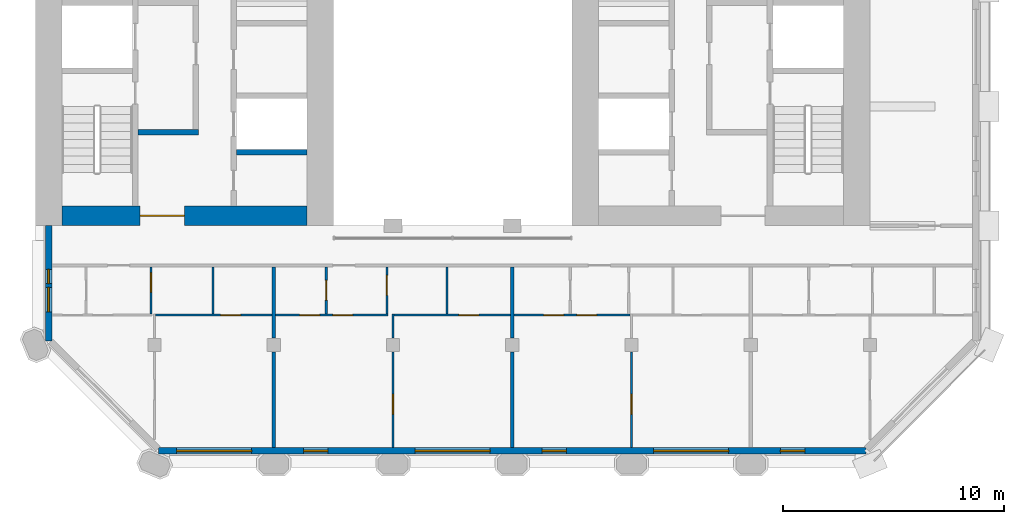
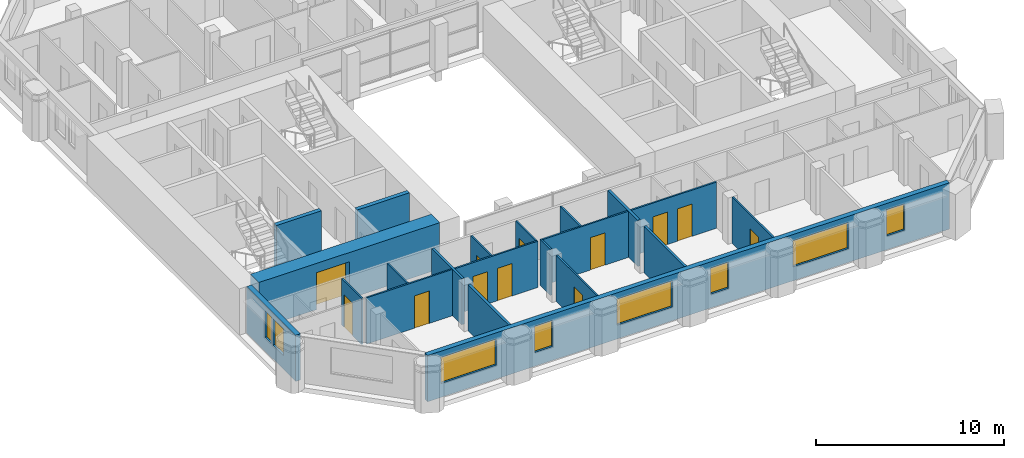
# One storey, part 4 of 13: 21 walls, 12 doors, 8 windows, 20 openings.
"""IFC4 building model written with IfcOpenShell, lengths in metres."""

from ifc_helpers import new_model, si_unit, direction, frame, frame_2d, origin, place, context, subcontext, project, spatial, rectangle, extrude, material, layer, layer_set, type_object, element, fill, save


model = new_model("IFC4")

# Units and contexts
model_context = context("Model", 3, precision=1e-05, world=origin(), true_north=direction((0.0, 1.0)))
body_context = subcontext(model_context, "Body", "Model", "MODEL_VIEW")
ifc_project = project(units=[si_unit("LENGTHUNIT", "METRE"), si_unit("AREAUNIT", "SQUARE_METRE"), si_unit("VOLUMEUNIT", "CUBIC_METRE"), si_unit("PLANEANGLEUNIT", "RADIAN"), si_unit("MASSUNIT", "GRAM", prefix="KILO")], contexts=[model_context])

# Site, building, storey
site_placement = place(None, origin())
site = spatial("IfcSite", under=ifc_project, at=site_placement, CompositionType="ELEMENT")
building_placement = place(site_placement, origin())
building = spatial("IfcBuilding", under=site, at=building_placement, Name="Tabaq Tower and Sports Hall", CompositionType="ELEMENT")
storey_placement = place(building_placement, frame((0.0, 0.0, 301.60009765625)))
storey = spatial("IfcBuildingStorey", under=building, at=storey_placement, Name="L75", CompositionType="ELEMENT", Elevation=301.60009765625)

# Wall, opening, door
ifc_material_1 = material(Name="Concrete C40/50", Category="concrete")
ifc_layer_1 = layer(ifc_material_1, 0.89990234375)
ifc_layer_set_1 = layer_set([ifc_layer_1], Name="Core wall 900 Concrete C40/50")
wall_type_1 = type_object("IfcWallType", Name="Core wall 900 Concrete C40/50", PredefinedType="SOLIDWALL", material=ifc_layer_set_1)
wall_1_placement = place(storey_placement, frame((17.699951171875, 16.64990234375, 0.0), z_axis=(0.0, 0.0, 1.0), x_axis=(-1.0, 0.0, 0.0)))
wall_1 = element("IfcWall", 1, at=wall_1_placement, inside=storey, type_object=wall_type_1, Name="Core wall W L75", PredefinedType="SOLIDWALL", context=body_context, shape_type="SweptSolid", body=[
    extrude(rectangle(XDim=11.099853515625, YDim=0.89990234375, at=frame_2d((5.5498046875, 0.0))), origin(), (0.0, 0.0, 1.0), 3.0),
])
opening_1_placement = place(wall_1_placement, frame((5.550048828125, 0.0, 0.0)))
opening_1 = element("IfcOpeningElement", 2, at=opening_1_placement, cuts=wall_1, Name="Opening PD-WL75-01", PredefinedType="OPENING", context=body_context, shape_type="SweptSolid", body=[
    extrude(rectangle(XDim=2.0, YDim=2.39990234375, at=frame_2d((1.0, 1.199951171875))), frame((0.0, 0.449951171875, 0.0), z_axis=(0.0, -1.0, 0.0), x_axis=(1.0, 0.0, 0.0)), (0.0, 0.0, 1.0), 0.89990234375),
])
ifc_material_2 = material(Name="Steel fire door", Category="steel")
door_type_1 = type_object("IfcDoorType", Name="Core entrance door 2000", OperationType="DOUBLE_DOOR_SINGLE_SWING", PredefinedType="DOOR", material=ifc_material_2)
door_1_placement = place(opening_1_placement, origin())
door_1 = element("IfcDoor", 3, at=door_1_placement, inside=storey, type_object=door_type_1, Name="Core entrance south W L75", OperationType="DOUBLE_DOOR_SINGLE_SWING", OverallHeight=2.39990234375, OverallWidth=2.0, PredefinedType="DOOR", context=body_context, shape_type="SweptSolid", body=[
    extrude(rectangle(XDim=2.0, YDim=2.39990234375, at=frame_2d((1.0, 1.199951171875))), frame((0.0, 0.02490234375, 0.0), z_axis=(0.0, -1.0, 0.0), x_axis=(1.0, 0.0, 0.0)), (0.0, 0.0, 1.0), 0.050048828125),
])
fill(opening_1, door_1)

ifc_material_3 = material(Name="Gypsum board on steel studs", Category="steel")
ifc_layer_2 = layer(ifc_material_3, 0.10009765625)
ifc_layer_set_2 = layer_set([ifc_layer_2], Name="Partition 100 Gypsum board")
wall_type_2 = type_object("IfcWallType", Name="Partition 100 Gypsum board", PredefinedType="PARTITIONING", material=ifc_layer_set_2)
wall_2_placement = place(storey_placement, frame((16.125, 12.14990234375, 0.0), z_axis=(0.0, 0.0, 1.0), x_axis=(-1.0, 0.0, 0.0)))
wall_2 = element("IfcWall", 4, at=wall_2_placement, inside=storey, type_object=wall_type_2, Name="Partition wall L75", PredefinedType="PARTITIONING", context=body_context, shape_type="SweptSolid", body=[
    extrude(rectangle(XDim=5.27490234375, YDim=0.10009765625, at=frame_2d((2.637451171875, 0.0))), origin(), (0.0, 0.0, 1.0), 3.0),
])
opening_2_placement = place(wall_2_placement, frame((1.429931640625, 0.0, 0.0)))
opening_2 = element("IfcOpeningElement", 5, at=opening_2_placement, cuts=wall_2, Name="Opening L75-019", PredefinedType="OPENING", context=body_context, shape_type="SweptSolid", body=[
    extrude(rectangle(XDim=0.89990234375, YDim=2.10009765625, at=frame_2d((0.449951171875, 1.050048828125))), frame((0.0, 0.050048828125, 0.0), z_axis=(0.0, -1.0, 0.0), x_axis=(1.0, 0.0, 0.0)), (0.0, 0.0, 1.0), 0.10009765625),
])
ifc_material_4 = material(Name="Timber leaf in steel frame", Category="steel")
door_type_2 = type_object("IfcDoorType", Name="Internal door 900 right hand", OperationType="SINGLE_SWING_RIGHT", PredefinedType="DOOR", material=ifc_material_4)
door_2_placement = place(opening_2_placement, origin())
door_2 = element("IfcDoor", 6, at=door_2_placement, inside=storey, type_object=door_type_2, Name="Internal door L75-019", OperationType="SINGLE_SWING_RIGHT", OverallHeight=2.10009765625, OverallWidth=0.89990234375, PredefinedType="DOOR", context=body_context, shape_type="SweptSolid", body=[
    extrude(rectangle(XDim=0.89990234375, YDim=2.10009765625, at=frame_2d((0.449951171875, 1.050048828125))), frame((0.0, 0.02490234375, 0.0), z_axis=(0.0, -1.0, 0.0), x_axis=(1.0, 0.0, 0.0)), (0.0, 0.0, 1.0), 0.050048828125),
])
fill(opening_2, door_2)

wall_3_placement = place(storey_placement, frame((10.639892578125, 12.199951171875, 0.0), z_axis=(0.0, 0.0, 1.0), x_axis=(0.0, 1.0, 0.0)))
wall_3 = element("IfcWall", 7, at=wall_3_placement, inside=storey, type_object=wall_type_2, Name="Partition wall L75", PredefinedType="PARTITIONING", context=body_context, shape_type="SweptSolid", body=[
    extrude(rectangle(XDim=2.125, YDim=0.10009765625, at=frame_2d((1.0625, 0.0))), origin(), (0.0, 0.0, 1.0), 3.0),
])
opening_3_placement = place(wall_3_placement, frame((0.97509765625, 0.0, 0.0)))
opening_3 = element("IfcOpeningElement", 8, at=opening_3_placement, cuts=wall_3, Name="Opening L75-020", PredefinedType="OPENING", context=body_context, shape_type="SweptSolid", body=[
    extrude(rectangle(XDim=0.89990234375, YDim=2.10009765625, at=frame_2d((0.449951171875, 1.050048828125))), frame((0.0, 0.050048828125, 0.0), z_axis=(0.0, -1.0, 0.0), x_axis=(1.0, 0.0, 0.0)), (0.0, 0.0, 1.0), 0.10009765625),
])
door_3_placement = place(opening_3_placement, origin())
door_3 = element("IfcDoor", 9, at=door_3_placement, inside=storey, type_object=door_type_2, Name="Internal door L75-020", OperationType="SINGLE_SWING_RIGHT", OverallHeight=2.10009765625, OverallWidth=0.89990234375, PredefinedType="DOOR", context=body_context, shape_type="SweptSolid", body=[
    extrude(rectangle(XDim=0.89990234375, YDim=2.10009765625, at=frame_2d((0.449951171875, 1.050048828125))), frame((0.0, 0.02490234375, 0.0), z_axis=(0.0, -1.0, 0.0), x_axis=(1.0, 0.0, 0.0)), (0.0, 0.0, 1.0), 0.050048828125),
])
fill(opening_3, door_3)

# Wall
wall_4_placement = place(storey_placement, frame((13.43994140625, 12.199951171875, 0.0), z_axis=(0.0, 0.0, 1.0), x_axis=(0.0, 1.0, 0.0)))
element("IfcWall", 10, at=wall_4_placement, inside=storey, type_object=wall_type_2, Name="Partition wall L75", PredefinedType="PARTITIONING", context=body_context, shape_type="SweptSolid", body=[
    extrude(rectangle(XDim=2.125, YDim=0.10009765625, at=frame_2d((1.0625, 0.0))), origin(), (0.0, 0.0, 1.0), 3.0),
])

# Wall, opening, door
wall_5_placement = place(storey_placement, frame((21.60009765625, 6.15087890625, 0.0), z_axis=(0.0, 0.0, 1.0), x_axis=(0.0, 1.0, 0.0)))
wall_5 = element("IfcWall", 11, at=wall_5_placement, inside=storey, type_object=wall_type_2, Name="Partition wall L75", PredefinedType="PARTITIONING", context=body_context, shape_type="SweptSolid", body=[
    extrude(rectangle(XDim=4.3291015625, YDim=0.10009765625, at=frame_2d((2.16455078125, 0.0))), origin(), (0.0, 0.0, 1.0), 3.0),
])
opening_4_placement = place(wall_5_placement, frame((1.51806640625, 0.0, 0.0)))
opening_4 = element("IfcOpeningElement", 12, at=opening_4_placement, cuts=wall_5, Name="Opening L75-042", PredefinedType="OPENING", context=body_context, shape_type="SweptSolid", body=[
    extrude(rectangle(XDim=0.89990234375, YDim=2.10009765625, at=frame_2d((0.449951171875, 1.050048828125))), frame((0.0, 0.050048828125, 0.0), z_axis=(0.0, -1.0, 0.0), x_axis=(1.0, 0.0, 0.0)), (0.0, 0.0, 1.0), 0.10009765625),
])
ifc_material_5 = material(Name="Timber leaf in steel frame", Category="steel")
door_type_3 = type_object("IfcDoorType", Name="Internal door 900 left hand", OperationType="SINGLE_SWING_LEFT", PredefinedType="DOOR", material=ifc_material_5)
door_4_placement = place(opening_4_placement, origin())
door_4 = element("IfcDoor", 13, at=door_4_placement, inside=storey, type_object=door_type_3, Name="Internal door L75-042", OperationType="SINGLE_SWING_LEFT", OverallHeight=2.10009765625, OverallWidth=0.89990234375, PredefinedType="DOOR", context=body_context, shape_type="SweptSolid", body=[
    extrude(rectangle(XDim=0.89990234375, YDim=2.10009765625, at=frame_2d((0.449951171875, 1.050048828125))), frame((0.0, 0.02490234375, 0.0), z_axis=(0.0, -1.0, 0.0), x_axis=(1.0, 0.0, 0.0)), (0.0, 0.0, 1.0), 0.050048828125),
])
fill(opening_4, door_4)

# Wall
wall_6_placement = place(storey_placement, frame((21.60009765625, 11.1201171875, 0.0), z_axis=(0.0, 0.0, 1.0), x_axis=(0.0, 1.0, 0.0)))
element("IfcWall", 14, at=wall_6_placement, inside=storey, type_object=wall_type_2, Name="Partition wall L75", PredefinedType="PARTITIONING", context=body_context, shape_type="SweptSolid", body=[
    extrude(rectangle(XDim=1.079833984375, YDim=0.10009765625, at=frame_2d((0.5400390625, 0.0))), origin(), (0.0, 0.0, 1.0), 3.0),
])

# Wall, openings, doors
wall_7_placement = place(storey_placement, frame((21.3720703125, 12.14990234375, 0.0), z_axis=(0.0, 0.0, 1.0), x_axis=(-1.0, 0.0, 0.0)))
wall_7 = element("IfcWall", 15, at=wall_7_placement, inside=storey, type_object=wall_type_2, Name="Partition wall L75", PredefinedType="PARTITIONING", context=body_context, shape_type="SweptSolid", body=[
    extrude(rectangle(XDim=5.09716796875, YDim=0.10009765625, at=frame_2d((2.548583984375, 0.0))), origin(), (0.0, 0.0, 1.0), 3.0),
])
opening_5_placement = place(wall_7_placement, frame((3.10009765625, 0.0, 0.0)))
opening_5 = element("IfcOpeningElement", 16, at=opening_5_placement, cuts=wall_7, Name="Opening L75-043", PredefinedType="OPENING", context=body_context, shape_type="SweptSolid", body=[
    extrude(rectangle(XDim=0.89990234375, YDim=2.10009765625, at=frame_2d((0.449951171875, 1.050048828125))), frame((0.0, 0.050048828125, 0.0), z_axis=(0.0, -1.0, 0.0), x_axis=(1.0, 0.0, 0.0)), (0.0, 0.0, 1.0), 0.10009765625),
])
opening_6_placement = place(wall_7_placement, frame((1.60009765625, 0.0, 0.0)))
opening_6 = element("IfcOpeningElement", 17, at=opening_6_placement, cuts=wall_7, Name="Opening L75-056", PredefinedType="OPENING", context=body_context, shape_type="SweptSolid", body=[
    extrude(rectangle(XDim=0.89990234375, YDim=2.10009765625, at=frame_2d((0.449951171875, 1.050048828125))), frame((0.0, 0.050048828125, 0.0), z_axis=(0.0, -1.0, 0.0), x_axis=(1.0, 0.0, 0.0)), (0.0, 0.0, 1.0), 0.10009765625),
])
door_5_placement = place(opening_5_placement, origin())
door_5 = element("IfcDoor", 18, at=door_5_placement, inside=storey, type_object=door_type_3, Name="Internal door L75-043", OperationType="SINGLE_SWING_LEFT", OverallHeight=2.10009765625, OverallWidth=0.89990234375, PredefinedType="DOOR", context=body_context, shape_type="SweptSolid", body=[
    extrude(rectangle(XDim=0.89990234375, YDim=2.10009765625, at=frame_2d((0.449951171875, 1.050048828125))), frame((0.0, 0.02490234375, 0.0), z_axis=(0.0, -1.0, 0.0), x_axis=(1.0, 0.0, 0.0)), (0.0, 0.0, 1.0), 0.050048828125),
])
fill(opening_5, door_5)
door_6_placement = place(opening_6_placement, origin())
door_6 = element("IfcDoor", 19, at=door_6_placement, inside=storey, type_object=door_type_2, Name="Internal door L75-056", OperationType="SINGLE_SWING_RIGHT", OverallHeight=2.10009765625, OverallWidth=0.89990234375, PredefinedType="DOOR", context=body_context, shape_type="SweptSolid", body=[
    extrude(rectangle(XDim=0.89990234375, YDim=2.10009765625, at=frame_2d((0.449951171875, 1.050048828125))), frame((0.0, 0.02490234375, 0.0), z_axis=(0.0, -1.0, 0.0), x_axis=(1.0, 0.0, 0.0)), (0.0, 0.0, 1.0), 0.050048828125),
])
fill(opening_6, door_6)

# Wall, opening, door
wall_8_placement = place(storey_placement, frame((26.925048828125, 12.14990234375, 0.0), z_axis=(0.0, 0.0, 1.0), x_axis=(-1.0, 0.0, 0.0)))
wall_8 = element("IfcWall", 20, at=wall_8_placement, inside=storey, type_object=wall_type_2, Name="Partition wall L75", PredefinedType="PARTITIONING", context=body_context, shape_type="SweptSolid", body=[
    extrude(rectangle(XDim=5.275146484375, YDim=0.10009765625, at=frame_2d((2.6376953125, 0.0))), origin(), (0.0, 0.0, 1.0), 3.0),
])
opening_7_placement = place(wall_8_placement, frame((1.441650390625, 0.0, 0.0)))
opening_7 = element("IfcOpeningElement", 21, at=opening_7_placement, cuts=wall_8, Name="Opening L75-021", PredefinedType="OPENING", context=body_context, shape_type="SweptSolid", body=[
    extrude(rectangle(XDim=0.89990234375, YDim=2.10009765625, at=frame_2d((0.449951171875, 1.050048828125))), frame((0.0, 0.050048828125, 0.0), z_axis=(0.0, -1.0, 0.0), x_axis=(1.0, 0.0, 0.0)), (0.0, 0.0, 1.0), 0.10009765625),
])
door_7_placement = place(opening_7_placement, origin())
door_7 = element("IfcDoor", 22, at=door_7_placement, inside=storey, type_object=door_type_2, Name="Internal door L75-021", OperationType="SINGLE_SWING_RIGHT", OverallHeight=2.10009765625, OverallWidth=0.89990234375, PredefinedType="DOOR", context=body_context, shape_type="SweptSolid", body=[
    extrude(rectangle(XDim=0.89990234375, YDim=2.10009765625, at=frame_2d((0.449951171875, 1.050048828125))), frame((0.0, 0.02490234375, 0.0), z_axis=(0.0, -1.0, 0.0), x_axis=(1.0, 0.0, 0.0)), (0.0, 0.0, 1.0), 0.050048828125),
])
fill(opening_7, door_7)

wall_9_placement = place(storey_placement, frame((18.572021484375, 12.199951171875, 0.0), z_axis=(0.0, 0.0, 1.0), x_axis=(0.0, 1.0, 0.0)))
wall_9 = element("IfcWall", 23, at=wall_9_placement, inside=storey, type_object=wall_type_2, Name="Partition wall L75", PredefinedType="PARTITIONING", context=body_context, shape_type="SweptSolid", body=[
    extrude(rectangle(XDim=2.125, YDim=0.10009765625, at=frame_2d((1.0625, 0.0))), origin(), (0.0, 0.0, 1.0), 3.0),
])
opening_8_placement = place(wall_9_placement, frame((0.625, 0.0, 0.0)))
opening_8 = element("IfcOpeningElement", 24, at=opening_8_placement, cuts=wall_9, Name="Opening L75-044", PredefinedType="OPENING", context=body_context, shape_type="SweptSolid", body=[
    extrude(rectangle(XDim=0.89990234375, YDim=2.10009765625, at=frame_2d((0.449951171875, 1.050048828125))), frame((0.0, 0.050048828125, 0.0), z_axis=(0.0, -1.0, 0.0), x_axis=(1.0, 0.0, 0.0)), (0.0, 0.0, 1.0), 0.10009765625),
])
door_8_placement = place(opening_8_placement, origin())
door_8 = element("IfcDoor", 25, at=door_8_placement, inside=storey, type_object=door_type_3, Name="Internal door L75-044", OperationType="SINGLE_SWING_LEFT", OverallHeight=2.10009765625, OverallWidth=0.89990234375, PredefinedType="DOOR", context=body_context, shape_type="SweptSolid", body=[
    extrude(rectangle(XDim=0.89990234375, YDim=2.10009765625, at=frame_2d((0.449951171875, 1.050048828125))), frame((0.0, 0.02490234375, 0.0), z_axis=(0.0, -1.0, 0.0), x_axis=(1.0, 0.0, 0.0)), (0.0, 0.0, 1.0), 0.050048828125),
])
fill(opening_8, door_8)

wall_10_placement = place(storey_placement, frame((21.322021484375, 12.199951171875, 0.0), z_axis=(0.0, 0.0, 1.0), x_axis=(0.0, 1.0, 0.0)))
wall_10 = element("IfcWall", 26, at=wall_10_placement, inside=storey, type_object=wall_type_2, Name="Partition wall L75", PredefinedType="PARTITIONING", context=body_context, shape_type="SweptSolid", body=[
    extrude(rectangle(XDim=2.125, YDim=0.10009765625, at=frame_2d((1.0625, 0.0))), origin(), (0.0, 0.0, 1.0), 3.0),
])
opening_9_placement = place(wall_10_placement, frame((0.843994140625, 0.0, 0.0)))
opening_9 = element("IfcOpeningElement", 27, at=opening_9_placement, cuts=wall_10, Name="Opening L75-022", PredefinedType="OPENING", context=body_context, shape_type="SweptSolid", body=[
    extrude(rectangle(XDim=0.89990234375, YDim=2.10009765625, at=frame_2d((0.449951171875, 1.050048828125))), frame((0.0, 0.050048828125, 0.0), z_axis=(0.0, -1.0, 0.0), x_axis=(1.0, 0.0, 0.0)), (0.0, 0.0, 1.0), 0.10009765625),
])
door_9_placement = place(opening_9_placement, origin())
door_9 = element("IfcDoor", 28, at=door_9_placement, inside=storey, type_object=door_type_3, Name="Internal door L75-022", OperationType="SINGLE_SWING_LEFT", OverallHeight=2.10009765625, OverallWidth=0.89990234375, PredefinedType="DOOR", context=body_context, shape_type="SweptSolid", body=[
    extrude(rectangle(XDim=0.89990234375, YDim=2.10009765625, at=frame_2d((0.449951171875, 1.050048828125))), frame((0.0, 0.02490234375, 0.0), z_axis=(0.0, -1.0, 0.0), x_axis=(1.0, 0.0, 0.0)), (0.0, 0.0, 1.0), 0.050048828125),
])
fill(opening_9, door_9)

# Wall
wall_11_placement = place(storey_placement, frame((24.050048828125, 12.199951171875, 0.0), z_axis=(0.0, 0.0, 1.0), x_axis=(0.0, 1.0, 0.0)))
element("IfcWall", 29, at=wall_11_placement, inside=storey, type_object=wall_type_2, Name="Partition wall L75", PredefinedType="PARTITIONING", context=body_context, shape_type="SweptSolid", body=[
    extrude(rectangle(XDim=2.125, YDim=0.10009765625, at=frame_2d((1.0625, 0.0))), origin(), (0.0, 0.0, 1.0), 3.0),
])

# Wall, opening, door
wall_12_placement = place(storey_placement, frame((32.39990234375, 6.15087890625, 0.0), z_axis=(0.0, 0.0, 1.0), x_axis=(0.0, 1.0, 0.0)))
wall_12 = element("IfcWall", 30, at=wall_12_placement, inside=storey, type_object=wall_type_2, Name="Partition wall L75", PredefinedType="PARTITIONING", context=body_context, shape_type="SweptSolid", body=[
    extrude(rectangle(XDim=4.3291015625, YDim=0.10009765625, at=frame_2d((2.16455078125, 0.0))), origin(), (0.0, 0.0, 1.0), 3.0),
])
opening_10_placement = place(wall_12_placement, frame((1.51806640625, 0.0, 0.0)))
opening_10 = element("IfcOpeningElement", 31, at=opening_10_placement, cuts=wall_12, Name="Opening L75-045", PredefinedType="OPENING", context=body_context, shape_type="SweptSolid", body=[
    extrude(rectangle(XDim=0.89990234375, YDim=2.10009765625, at=frame_2d((0.449951171875, 1.050048828125))), frame((0.0, 0.050048828125, 0.0), z_axis=(0.0, -1.0, 0.0), x_axis=(1.0, 0.0, 0.0)), (0.0, 0.0, 1.0), 0.10009765625),
])
door_10_placement = place(opening_10_placement, origin())
door_10 = element("IfcDoor", 32, at=door_10_placement, inside=storey, type_object=door_type_2, Name="Internal door L75-045", OperationType="SINGLE_SWING_RIGHT", OverallHeight=2.10009765625, OverallWidth=0.89990234375, PredefinedType="DOOR", context=body_context, shape_type="SweptSolid", body=[
    extrude(rectangle(XDim=0.89990234375, YDim=2.10009765625, at=frame_2d((0.449951171875, 1.050048828125))), frame((0.0, 0.02490234375, 0.0), z_axis=(0.0, -1.0, 0.0), x_axis=(1.0, 0.0, 0.0)), (0.0, 0.0, 1.0), 0.050048828125),
])
fill(opening_10, door_10)

# Wall, openings, doors
wall_13_placement = place(storey_placement, frame((32.324951171875, 12.14990234375, 0.0), z_axis=(0.0, 0.0, 1.0), x_axis=(-1.0, 0.0, 0.0)))
wall_13 = element("IfcWall", 33, at=wall_13_placement, inside=storey, type_object=wall_type_2, Name="Partition wall L75", PredefinedType="PARTITIONING", context=body_context, shape_type="SweptSolid", body=[
    extrude(rectangle(XDim=5.25, YDim=0.10009765625, at=frame_2d((2.625, 0.0))), origin(), (0.0, 0.0, 1.0), 3.0),
])
opening_11_placement = place(wall_13_placement, frame((3.0, 0.0, 0.0)))
opening_11 = element("IfcOpeningElement", 34, at=opening_11_placement, cuts=wall_13, Name="Opening L75-046", PredefinedType="OPENING", context=body_context, shape_type="SweptSolid", body=[
    extrude(rectangle(XDim=0.89990234375, YDim=2.10009765625, at=frame_2d((0.449951171875, 1.050048828125))), frame((0.0, 0.050048828125, 0.0), z_axis=(0.0, -1.0, 0.0), x_axis=(1.0, 0.0, 0.0)), (0.0, 0.0, 1.0), 0.10009765625),
])
opening_12_placement = place(wall_13_placement, frame((1.5, 0.0, 0.0)))
opening_12 = element("IfcOpeningElement", 35, at=opening_12_placement, cuts=wall_13, Name="Opening L75-057", PredefinedType="OPENING", context=body_context, shape_type="SweptSolid", body=[
    extrude(rectangle(XDim=0.89990234375, YDim=2.10009765625, at=frame_2d((0.449951171875, 1.050048828125))), frame((0.0, 0.050048828125, 0.0), z_axis=(0.0, -1.0, 0.0), x_axis=(1.0, 0.0, 0.0)), (0.0, 0.0, 1.0), 0.10009765625),
])
door_11_placement = place(opening_11_placement, origin())
door_11 = element("IfcDoor", 36, at=door_11_placement, inside=storey, type_object=door_type_3, Name="Internal door L75-046", OperationType="SINGLE_SWING_LEFT", OverallHeight=2.10009765625, OverallWidth=0.89990234375, PredefinedType="DOOR", context=body_context, shape_type="SweptSolid", body=[
    extrude(rectangle(XDim=0.89990234375, YDim=2.10009765625, at=frame_2d((0.449951171875, 1.050048828125))), frame((0.0, 0.02490234375, 0.0), z_axis=(0.0, -1.0, 0.0), x_axis=(1.0, 0.0, 0.0)), (0.0, 0.0, 1.0), 0.050048828125),
])
fill(opening_11, door_11)
door_12_placement = place(opening_12_placement, origin())
door_12 = element("IfcDoor", 37, at=door_12_placement, inside=storey, type_object=door_type_2, Name="Internal door L75-057", OperationType="SINGLE_SWING_RIGHT", OverallHeight=2.10009765625, OverallWidth=0.89990234375, PredefinedType="DOOR", context=body_context, shape_type="SweptSolid", body=[
    extrude(rectangle(XDim=0.89990234375, YDim=2.10009765625, at=frame_2d((0.449951171875, 1.050048828125))), frame((0.0, 0.02490234375, 0.0), z_axis=(0.0, -1.0, 0.0), x_axis=(1.0, 0.0, 0.0)), (0.0, 0.0, 1.0), 0.050048828125),
])
fill(opening_12, door_12)

# Walls
ifc_material_6 = material(Name="Blockwork", Category="masonry")
ifc_layer_3 = layer(ifc_material_6, 0.14990234375)
ifc_layer_set_3 = layer_set([ifc_layer_3], Name="Separating wall 150 Blockwork")
wall_type_3 = type_object("IfcWallType", Name="Separating wall 150 Blockwork", PredefinedType="PARTITIONING", material=ifc_layer_set_3)
wall_14_placement = place(storey_placement, frame((16.199951171875, 6.15087890625, 0.0), z_axis=(0.0, 0.0, 1.0), x_axis=(0.0, 1.0, 0.0)))
element("IfcWall", 38, at=wall_14_placement, inside=storey, type_object=wall_type_3, Name="Separating wall L75", PredefinedType="PARTITIONING", context=body_context, shape_type="SweptSolid", body=[
    extrude(rectangle(XDim=4.3291015625, YDim=0.14990234375, at=frame_2d((2.16455078125, 0.0))), origin(), (0.0, 0.0, 1.0), 3.0),
])
wall_15_placement = place(storey_placement, frame((16.199951171875, 11.1201171875, 0.0), z_axis=(0.0, 0.0, 1.0), x_axis=(0.0, 1.0, 0.0)))
element("IfcWall", 39, at=wall_15_placement, inside=storey, type_object=wall_type_3, Name="Separating wall L75", PredefinedType="PARTITIONING", context=body_context, shape_type="SweptSolid", body=[
    extrude(rectangle(XDim=3.204833984375, YDim=0.14990234375, at=frame_2d((1.6025390625, 0.0))), origin(), (0.0, 0.0, 1.0), 3.0),
])
wall_16_placement = place(storey_placement, frame((27.0, 6.15087890625, 0.0), z_axis=(0.0, 0.0, 1.0), x_axis=(0.0, 1.0, 0.0)))
element("IfcWall", 40, at=wall_16_placement, inside=storey, type_object=wall_type_3, Name="Separating wall L75", PredefinedType="PARTITIONING", context=body_context, shape_type="SweptSolid", body=[
    extrude(rectangle(XDim=4.3291015625, YDim=0.14990234375, at=frame_2d((2.16455078125, 0.0))), origin(), (0.0, 0.0, 1.0), 3.0),
])
wall_17_placement = place(storey_placement, frame((27.0, 11.1201171875, 0.0), z_axis=(0.0, 0.0, 1.0), x_axis=(0.0, 1.0, 0.0)))
element("IfcWall", 41, at=wall_17_placement, inside=storey, type_object=wall_type_3, Name="Separating wall L75", PredefinedType="PARTITIONING", context=body_context, shape_type="SweptSolid", body=[
    extrude(rectangle(XDim=3.204833984375, YDim=0.14990234375, at=frame_2d((1.6025390625, 0.0))), origin(), (0.0, 0.0, 1.0), 3.0),
])
ifc_material_7 = material(Name="Concrete C40/50", Category="concrete")
ifc_layer_4 = layer(ifc_material_7, 0.25)
ifc_layer_set_4 = layer_set([ifc_layer_4], Name="Shaft and stair wall 250 Concrete C40/50")
wall_type_4 = type_object("IfcWallType", Name="Shaft and stair wall 250 Concrete C40/50", PredefinedType="SOLIDWALL", material=ifc_layer_set_4)
wall_18_placement = place(storey_placement, frame((10.050048828125, 20.425048828125, 0.0), z_axis=(0.0, 0.0, 1.0), x_axis=(1.0, 0.0, 0.0)))
element("IfcWall", 42, at=wall_18_placement, inside=storey, type_object=wall_type_4, Name="Fire-fighting lobby wall W L75", PredefinedType="SOLIDWALL", context=body_context, shape_type="SweptSolid", body=[
    extrude(rectangle(XDim=2.75, YDim=0.25, at=frame_2d((1.375, 0.0))), origin(), (0.0, 0.0, 1.0), 3.0),
])
wall_19_placement = place(storey_placement, frame((14.5, 19.52490234375, 0.0), z_axis=(0.0, 0.0, 1.0), x_axis=(1.0, 0.0, 0.0)))
element("IfcWall", 43, at=wall_19_placement, inside=storey, type_object=wall_type_4, Name="Shaft wall W L75", PredefinedType="SOLIDWALL", context=body_context, shape_type="SweptSolid", body=[
    extrude(rectangle(XDim=3.199951171875, YDim=0.25, at=frame_2d((1.60009765625, 0.0))), origin(), (0.0, 0.0, 1.0), 3.0),
])

# Wall, openings, windows
ifc_material_8 = material(Name="White precast concrete C60/75", Category="concrete")
ifc_layer_5 = layer(ifc_material_8, 0.300048828125)
ifc_layer_set_5 = layer_set([ifc_layer_5], Name="White precast concrete C60/75 external wall 300")
wall_type_5 = type_object("IfcWallType", Name="White precast concrete C60/75 external wall 300", PredefinedType="SOLIDWALL", material=ifc_layer_set_5)
wall_20_placement = place(storey_placement, frame((10.986328125, 6.0, 0.0), z_axis=(0.0, 0.0, 1.0), x_axis=(1.0, 0.0, 0.0)))
wall_20 = element("IfcWall", 44, at=wall_20_placement, inside=storey, type_object=wall_type_5, Name="External Wall L75 S", PredefinedType="SOLIDWALL", context=body_context, shape_type="SweptSolid", body=[
    extrude(rectangle(XDim=32.02734375, YDim=0.300048828125, at=frame_2d((16.013671875, 0.0))), origin(), (0.0, 0.0, 1.0), 3.0),
])
opening_13_placement = place(wall_20_placement, frame((0.813720703125, 0.0, 0.89990234375)))
opening_13 = element("IfcOpeningElement", 45, at=opening_13_placement, cuts=wall_20, Name="Opening W1A", PredefinedType="OPENING", context=body_context, shape_type="SweptSolid", body=[
    extrude(rectangle(XDim=3.39990234375, YDim=1.699951171875, at=frame_2d((1.699951171875, 0.85009765625))), frame((0.0, 0.16015625, 0.0), z_axis=(0.0, -1.0, 0.0), x_axis=(1.0, 0.0, 0.0)), (0.0, 0.0, 1.0), 0.320068359375),
])
opening_14_placement = place(wall_20_placement, frame((6.563720703125, 0.0, 0.89990234375)))
opening_14 = element("IfcOpeningElement", 46, at=opening_14_placement, cuts=wall_20, Name="Opening W1B", PredefinedType="OPENING", context=body_context, shape_type="SweptSolid", body=[
    extrude(rectangle(XDim=1.10009765625, YDim=1.699951171875, at=frame_2d((0.550048828125, 0.85009765625))), frame((0.0, 0.16015625, 0.0), z_axis=(0.0, -1.0, 0.0), x_axis=(1.0, 0.0, 0.0)), (0.0, 0.0, 1.0), 0.320068359375),
])
opening_15_placement = place(wall_20_placement, frame((11.613525390625, 0.0, 0.89990234375)))
opening_15 = element("IfcOpeningElement", 47, at=opening_15_placement, cuts=wall_20, Name="Opening W1A", PredefinedType="OPENING", context=body_context, shape_type="SweptSolid", body=[
    extrude(rectangle(XDim=3.39990234375, YDim=1.699951171875, at=frame_2d((1.699951171875, 0.85009765625))), frame((0.0, 0.16015625, 0.0), z_axis=(0.0, -1.0, 0.0), x_axis=(1.0, 0.0, 0.0)), (0.0, 0.0, 1.0), 0.320068359375),
])
opening_16_placement = place(wall_20_placement, frame((17.363525390625, 0.0, 0.89990234375)))
opening_16 = element("IfcOpeningElement", 48, at=opening_16_placement, cuts=wall_20, Name="Opening W1B", PredefinedType="OPENING", context=body_context, shape_type="SweptSolid", body=[
    extrude(rectangle(XDim=1.10009765625, YDim=1.699951171875, at=frame_2d((0.550048828125, 0.85009765625))), frame((0.0, 0.16015625, 0.0), z_axis=(0.0, -1.0, 0.0), x_axis=(1.0, 0.0, 0.0)), (0.0, 0.0, 1.0), 0.320068359375),
])
opening_17_placement = place(wall_20_placement, frame((22.41357421875, 0.0, 0.89990234375)))
opening_17 = element("IfcOpeningElement", 49, at=opening_17_placement, cuts=wall_20, Name="Opening W1A", PredefinedType="OPENING", context=body_context, shape_type="SweptSolid", body=[
    extrude(rectangle(XDim=3.39990234375, YDim=1.699951171875, at=frame_2d((1.699951171875, 0.85009765625))), frame((0.0, 0.16015625, 0.0), z_axis=(0.0, -1.0, 0.0), x_axis=(1.0, 0.0, 0.0)), (0.0, 0.0, 1.0), 0.320068359375),
])
opening_18_placement = place(wall_20_placement, frame((28.16357421875, 0.0, 0.89990234375)))
opening_18 = element("IfcOpeningElement", 50, at=opening_18_placement, cuts=wall_20, Name="Opening W1B", PredefinedType="OPENING", context=body_context, shape_type="SweptSolid", body=[
    extrude(rectangle(XDim=1.10009765625, YDim=1.699951171875, at=frame_2d((0.550048828125, 0.85009765625))), frame((0.0, 0.16015625, 0.0), z_axis=(0.0, -1.0, 0.0), x_axis=(1.0, 0.0, 0.0)), (0.0, 0.0, 1.0), 0.320068359375),
])
ifc_material_9 = material(Name="Aluminium framed clear glazing", Category="aluminium")
window_type_1 = type_object("IfcWindowType", Name="Window W1A", PartitioningType="SINGLE_PANEL", PredefinedType="WINDOW", material=ifc_material_9)
window_1_placement = place(opening_13_placement, origin())
window_1 = element("IfcWindow", 51, at=window_1_placement, inside=storey, type_object=window_type_1, Name="Window W1A L75", OverallHeight=1.699951171875, OverallWidth=3.39990234375, PartitioningType="SINGLE_PANEL", PredefinedType="WINDOW", context=body_context, shape_type="SweptSolid", body=[
    extrude(rectangle(XDim=3.39990234375, YDim=1.699951171875, at=frame_2d((1.699951171875, 0.85009765625))), frame((0.0, 0.030029296875, 0.0), z_axis=(0.0, -1.0, 0.0), x_axis=(1.0, 0.0, 0.0)), (0.0, 0.0, 1.0), 0.06005859375),
])
fill(opening_13, window_1)
window_2_placement = place(opening_15_placement, origin())
window_2 = element("IfcWindow", 52, at=window_2_placement, inside=storey, type_object=window_type_1, Name="Window W1A L75", OverallHeight=1.699951171875, OverallWidth=3.39990234375, PartitioningType="SINGLE_PANEL", PredefinedType="WINDOW", context=body_context, shape_type="SweptSolid", body=[
    extrude(rectangle(XDim=3.39990234375, YDim=1.699951171875, at=frame_2d((1.699951171875, 0.85009765625))), frame((0.0, 0.030029296875, 0.0), z_axis=(0.0, -1.0, 0.0), x_axis=(1.0, 0.0, 0.0)), (0.0, 0.0, 1.0), 0.06005859375),
])
fill(opening_15, window_2)
window_3_placement = place(opening_17_placement, origin())
window_3 = element("IfcWindow", 53, at=window_3_placement, inside=storey, type_object=window_type_1, Name="Window W1A L75", OverallHeight=1.699951171875, OverallWidth=3.39990234375, PartitioningType="SINGLE_PANEL", PredefinedType="WINDOW", context=body_context, shape_type="SweptSolid", body=[
    extrude(rectangle(XDim=3.39990234375, YDim=1.699951171875, at=frame_2d((1.699951171875, 0.85009765625))), frame((0.0, 0.030029296875, 0.0), z_axis=(0.0, -1.0, 0.0), x_axis=(1.0, 0.0, 0.0)), (0.0, 0.0, 1.0), 0.06005859375),
])
fill(opening_17, window_3)
ifc_material_10 = material(Name="Aluminium framed clear glazing", Category="aluminium")
window_type_2 = type_object("IfcWindowType", Name="Window W1B", PartitioningType="SINGLE_PANEL", PredefinedType="WINDOW", material=ifc_material_10)
window_4_placement = place(opening_14_placement, origin())
window_4 = element("IfcWindow", 54, at=window_4_placement, inside=storey, type_object=window_type_2, Name="Window W1B L75", OverallHeight=1.699951171875, OverallWidth=1.10009765625, PartitioningType="SINGLE_PANEL", PredefinedType="WINDOW", context=body_context, shape_type="SweptSolid", body=[
    extrude(rectangle(XDim=1.10009765625, YDim=1.699951171875, at=frame_2d((0.550048828125, 0.85009765625))), frame((0.0, 0.030029296875, 0.0), z_axis=(0.0, -1.0, 0.0), x_axis=(1.0, 0.0, 0.0)), (0.0, 0.0, 1.0), 0.06005859375),
])
fill(opening_14, window_4)
window_5_placement = place(opening_16_placement, origin())
window_5 = element("IfcWindow", 55, at=window_5_placement, inside=storey, type_object=window_type_2, Name="Window W1B L75", OverallHeight=1.699951171875, OverallWidth=1.10009765625, PartitioningType="SINGLE_PANEL", PredefinedType="WINDOW", context=body_context, shape_type="SweptSolid", body=[
    extrude(rectangle(XDim=1.10009765625, YDim=1.699951171875, at=frame_2d((0.550048828125, 0.85009765625))), frame((0.0, 0.030029296875, 0.0), z_axis=(0.0, -1.0, 0.0), x_axis=(1.0, 0.0, 0.0)), (0.0, 0.0, 1.0), 0.06005859375),
])
fill(opening_16, window_5)
window_6_placement = place(opening_18_placement, origin())
window_6 = element("IfcWindow", 56, at=window_6_placement, inside=storey, type_object=window_type_2, Name="Window W1B L75", OverallHeight=1.699951171875, OverallWidth=1.10009765625, PartitioningType="SINGLE_PANEL", PredefinedType="WINDOW", context=body_context, shape_type="SweptSolid", body=[
    extrude(rectangle(XDim=1.10009765625, YDim=1.699951171875, at=frame_2d((0.550048828125, 0.85009765625))), frame((0.0, 0.030029296875, 0.0), z_axis=(0.0, -1.0, 0.0), x_axis=(1.0, 0.0, 0.0)), (0.0, 0.0, 1.0), 0.06005859375),
])
fill(opening_18, window_6)

wall_21_placement = place(storey_placement, frame((6.0, 16.199951171875, 0.0), z_axis=(0.0, 0.0, 1.0), x_axis=(0.0, -1.0, 0.0)))
wall_21 = element("IfcWall", 57, at=wall_21_placement, inside=storey, type_object=wall_type_5, Name="External Wall L75 W", PredefinedType="SOLIDWALL", context=body_context, shape_type="SweptSolid", body=[
    extrude(rectangle(XDim=5.213623046875, YDim=0.300048828125, at=frame_2d((2.60693359375, 0.0))), origin(), (0.0, 0.0, 1.0), 3.0),
])
opening_19_placement = place(wall_21_placement, frame((1.97509765625, 0.0, 0.89990234375)))
opening_19 = element("IfcOpeningElement", 58, at=opening_19_placement, cuts=wall_21, Name="Opening W1C", PredefinedType="OPENING", context=body_context, shape_type="SweptSolid", body=[
    extrude(rectangle(XDim=0.64990234375, YDim=1.699951171875, at=frame_2d((0.324951171875, 0.85009765625))), frame((0.0, 0.16015625, 0.0), z_axis=(0.0, -1.0, 0.0), x_axis=(1.0, 0.0, 0.0)), (0.0, 0.0, 1.0), 0.320068359375),
])
opening_20_placement = place(wall_21_placement, frame((2.800048828125, 0.0, 0.89990234375)))
opening_20 = element("IfcOpeningElement", 59, at=opening_20_placement, cuts=wall_21, Name="Opening W1B", PredefinedType="OPENING", context=body_context, shape_type="SweptSolid", body=[
    extrude(rectangle(XDim=1.10009765625, YDim=1.699951171875, at=frame_2d((0.550048828125, 0.85009765625))), frame((0.0, 0.16015625, 0.0), z_axis=(0.0, -1.0, 0.0), x_axis=(1.0, 0.0, 0.0)), (0.0, 0.0, 1.0), 0.320068359375),
])
window_7_placement = place(opening_20_placement, origin())
window_7 = element("IfcWindow", 60, at=window_7_placement, inside=storey, type_object=window_type_2, Name="Window W1B L75", OverallHeight=1.699951171875, OverallWidth=1.10009765625, PartitioningType="SINGLE_PANEL", PredefinedType="WINDOW", context=body_context, shape_type="SweptSolid", body=[
    extrude(rectangle(XDim=1.10009765625, YDim=1.699951171875, at=frame_2d((0.550048828125, 0.85009765625))), frame((0.0, 0.030029296875, 0.0), z_axis=(0.0, -1.0, 0.0), x_axis=(1.0, 0.0, 0.0)), (0.0, 0.0, 1.0), 0.06005859375),
])
fill(opening_20, window_7)
ifc_material_11 = material(Name="Aluminium framed clear glazing", Category="aluminium")
window_type_3 = type_object("IfcWindowType", Name="Window W1C", PartitioningType="SINGLE_PANEL", PredefinedType="WINDOW", material=ifc_material_11)
window_8_placement = place(opening_19_placement, origin())
window_8 = element("IfcWindow", 61, at=window_8_placement, inside=storey, type_object=window_type_3, Name="Window W1C L75", OverallHeight=1.699951171875, OverallWidth=0.64990234375, PartitioningType="SINGLE_PANEL", PredefinedType="WINDOW", context=body_context, shape_type="SweptSolid", body=[
    extrude(rectangle(XDim=0.64990234375, YDim=1.699951171875, at=frame_2d((0.324951171875, 0.85009765625))), frame((0.0, 0.030029296875, 0.0), z_axis=(0.0, -1.0, 0.0), x_axis=(1.0, 0.0, 0.0)), (0.0, 0.0, 1.0), 0.06005859375),
])
fill(opening_19, window_8)

save(model, "model.ifc")
